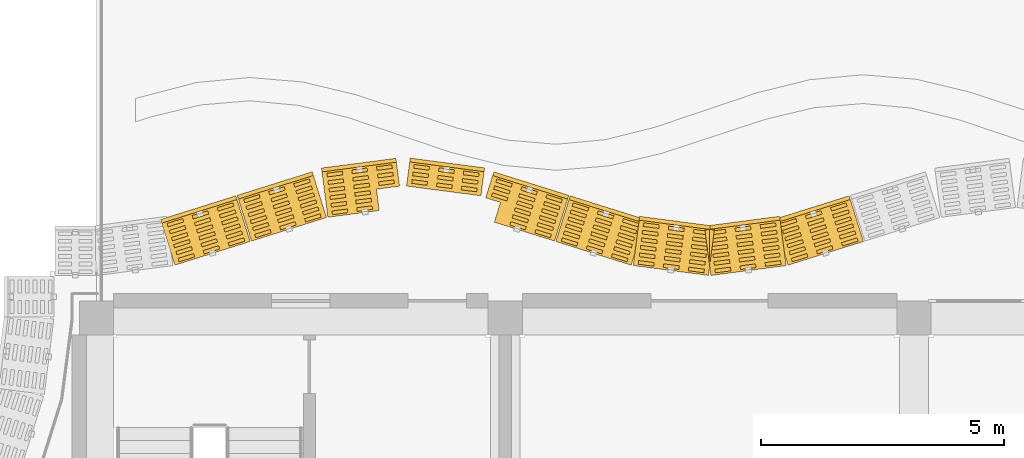
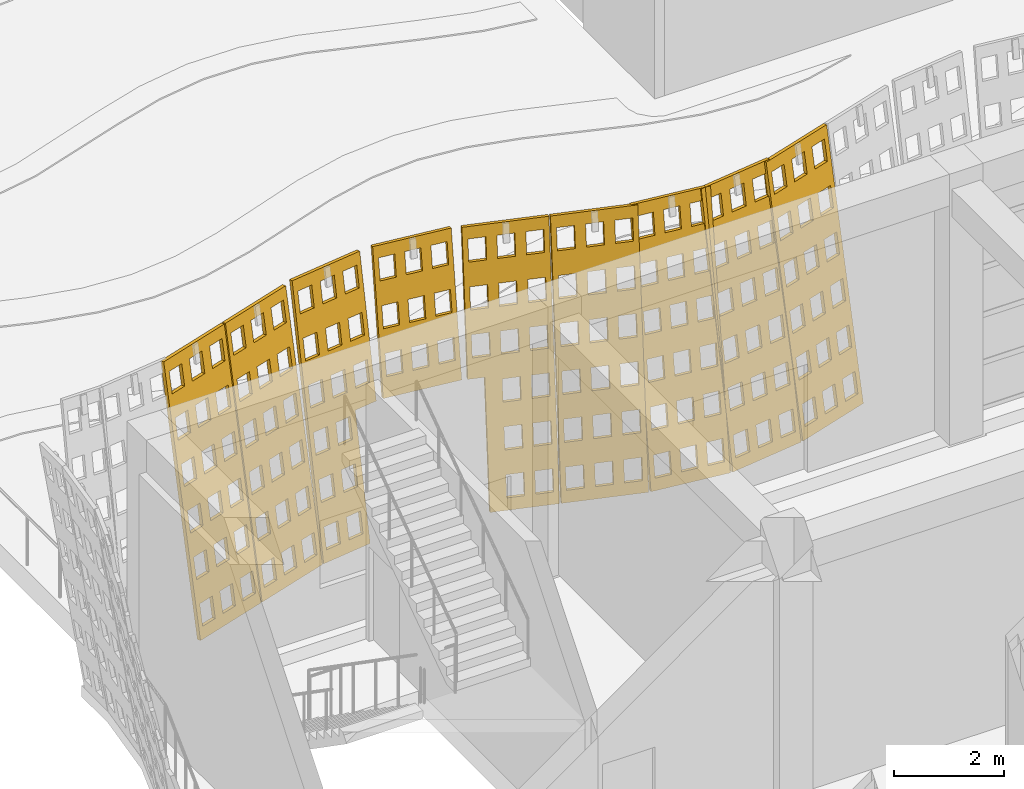
# One storey, part 159 of 210: 9 coverings.
"""IFC4 building model written with IfcOpenShell, lengths in metres."""

import ifcopenshell
import ifcopenshell.guid

model = None  # the IFC model being written
_history = None  # IfcOwnerHistory: only IFC2X3 demands one
_inside = {}  # id of a spatial element -> (the spatial element, [elements in it])
_under = {}  # id of a project, library or spatial element -> (it, [spatial elements below it])
_declared = {}  # id of a project -> (the project, [libraries it declares])
_typed = {}  # id of a type object -> (the type object, [elements of that type])
_made_of = {}  # id of a material, layer set ... -> (it, [elements and type objects made of it])


def new_model(schema):
    """Start an empty IFC model of exactly this schema.

    Asked for "IFC4X3", IfcOpenShell would pick the latest addendum, in which some entities
    have other attributes; the version numbers below select the first issue.
    IFC2X3 requires an IfcOwnerHistory on every rooted entity: one is made here for all.
    """
    global model, _history
    if schema == "IFC4X3":
        model = ifcopenshell.file(schema_version=(4, 3, 0, 0))
    else:
        model = ifcopenshell.file(schema=schema)
    _inside.clear()
    _under.clear()
    _declared.clear()
    _typed.clear()
    _made_of.clear()
    _history = None
    if model.schema == "IFC2X3":
        org = make("IfcOrganization", Name="unknown")
        user = make(
            "IfcPersonAndOrganization",
            ThePerson=make("IfcPerson", FamilyName="unknown"),
            TheOrganization=org,
        )
        app = make(
            "IfcApplication",
            ApplicationDeveloper=org,
            Version="unknown",
            ApplicationFullName="unknown",
            ApplicationIdentifier="unknown",
        )
        _history = make(
            "IfcOwnerHistory",
            OwningUser=user,
            OwningApplication=app,
            ChangeAction="ADDED",
            CreationDate=0,
        )
    return model


def make(cls, **values):
    """One entity of the class cls with the attributes given. An attribute that is None is left unset."""
    return model.create_entity(
        cls, **{name: value for name, value in values.items() if value is not None}
    )


def rooted(cls, **values):
    """An entity with a GlobalId (a new one), such as an element, a storey or a relation."""
    return make(cls, GlobalId=ifcopenshell.guid.new(), OwnerHistory=_history, **values)


def si_unit(unit_type, name, prefix=None):
    """IfcSIUnit, for example si_unit("LENGTHUNIT", "METRE", prefix="MILLI")."""
    return make("IfcSIUnit", UnitType=unit_type, Prefix=prefix, Name=name)


def assignment(units):
    """IfcUnitAssignment: the units of a project."""
    return None if units is None else make("IfcUnitAssignment", Units=units)


def point(xyz):
    """IfcCartesianPoint."""
    return None if xyz is None else make("IfcCartesianPoint", Coordinates=xyz)


def direction(xyz):
    """IfcDirection."""
    return None if xyz is None else make("IfcDirection", DirectionRatios=xyz)


def frame(location, z_axis=None, x_axis=None):
    """IfcAxis2Placement3D, a coordinate frame: its origin and axes. An axis left out is left unset."""
    return make(
        "IfcAxis2Placement3D",
        Location=point(location),
        Axis=direction(z_axis),
        RefDirection=direction(x_axis),
    )


def origin():
    """The frame at (0, 0, 0) with its axes left unset."""
    return frame((0.0, 0.0, 0.0))


def place(relative_to, where):
    """IfcLocalPlacement: puts the frame where relative to a parent placement (None: the world)."""
    return make(
        "IfcLocalPlacement", PlacementRelTo=relative_to, RelativePlacement=where
    )


def context(
    kind, dimensions, precision=None, world=None, true_north=None, identifier=None
):
    """IfcGeometricRepresentationContext, for example the 3D "Model" context."""
    return make(
        "IfcGeometricRepresentationContext",
        ContextIdentifier=identifier,
        ContextType=kind,
        CoordinateSpaceDimension=dimensions,
        Precision=precision,
        WorldCoordinateSystem=world,
        TrueNorth=true_north,
    )


def subcontext(parent, identifier, kind, view, scale=None):
    """IfcGeometricRepresentationSubContext, for example "Body" below "Model"."""
    return make(
        "IfcGeometricRepresentationSubContext",
        ContextIdentifier=identifier,
        ContextType=kind,
        ParentContext=parent,
        TargetScale=scale,
        TargetView=view,
    )


def project(units=None, contexts=None):
    """IfcProject with its units and contexts."""
    return rooted(
        "IfcProject",
        Name="project",
        RepresentationContexts=contexts,
        UnitsInContext=assignment(units),
    )


def spatial(cls, under=None, at=None, **own):
    """A site, building, storey or space (cls), placed at a placement, below another one or the project."""
    s = rooted(cls, ObjectPlacement=at, **own)
    if under is not None:
        _under.setdefault(under.id(), (under, []))[1].append(s)
    return s


def polyline(points):
    """IfcPolyline through the points."""
    return make("IfcPolyline", Points=[point(p) for p in points])


def outline(outer, holes=None, kind="AREA"):
    """IfcArbitraryClosedProfileDef: a profile drawn as a closed curve; with holes, ...WithVoids."""
    if holes is None:
        return make("IfcArbitraryClosedProfileDef", ProfileType=kind, OuterCurve=outer)
    return make(
        "IfcArbitraryProfileDefWithVoids",
        ProfileType=kind,
        OuterCurve=outer,
        InnerCurves=holes,
    )


def extrude(swept, where, along, depth):
    """IfcExtrudedAreaSolid: the profile swept, set in the frame where, extruded along a direction by depth."""
    return make(
        "IfcExtrudedAreaSolid",
        SweptArea=swept,
        Position=where,
        ExtrudedDirection=direction(along),
        Depth=depth,
    )


def shape(context_of_items, identifier, shape_type, items):
    """IfcShapeRepresentation: the items that make up one representation, for example the "Body"."""
    return make(
        "IfcShapeRepresentation",
        ContextOfItems=context_of_items,
        RepresentationIdentifier=identifier,
        RepresentationType=shape_type,
        Items=items,
    )


def material(Name=None, Category=None):
    """IfcMaterial."""
    return make("IfcMaterial", Name=Name, Category=Category)


def layer(
    of_material, thickness, ventilated=None, Name=None, Category=None, Priority=None
):
    """IfcMaterialLayer: one layer of a wall or slab, of a material (None: an air gap)."""
    return make(
        "IfcMaterialLayer",
        Material=of_material,
        LayerThickness=thickness,
        IsVentilated=ventilated,
        Name=Name,
        Category=Category,
        Priority=Priority,
    )


def layer_set(layers, Name=None):
    """IfcMaterialLayerSet."""
    return make("IfcMaterialLayerSet", MaterialLayers=layers, LayerSetName=Name)


def made_of(thing, what):
    """Note that an element or type object is made of a material, layer set ...; save() writes the relation."""
    if what is not None:
        _made_of.setdefault(what.id(), (what, []))[1].append(thing)
    return thing


def type_object(cls, material=None, **own):
    """A type object (cls), such as IfcWallType, which elements share."""
    return made_of(rooted(cls, **own), material)


def element(
    cls,
    number,
    at=None,
    inside=None,
    cuts=None,
    type_object=None,
    material=None,
    context=None,
    identifier="Body",
    shape_type=None,
    held_by="IfcProductDefinitionShape",
    body=None,
    shapes=None,
    **own,
):
    """One element of the class cls, such as IfcWall. Its Tag is "e" and its number.

    at: its placement. inside: the storey or other place that contains it. cuts: it is an
    opening in that element (IfcRelVoidsElement). A single representation is given by context,
    identifier, shape_type and body (its items); several are given by shapes. held_by: the class
    of the entity that holds the representations. save() writes the other relations.
    """
    e = rooted(cls, Tag="e%d" % number, ObjectPlacement=at, **own)
    if body is not None:
        shapes = [shape(context, identifier, shape_type, body)]
    if shapes is not None:
        e.Representation = make(held_by, Representations=shapes)
    if inside is not None:
        _inside.setdefault(inside.id(), (inside, []))[1].append(e)
    if cuts is not None:
        rooted(
            "IfcRelVoidsElement", RelatingBuildingElement=cuts, RelatedOpeningElement=e
        )
    if type_object is not None:
        _typed.setdefault(type_object.id(), (type_object, []))[1].append(e)
    return made_of(e, material)


def aggregate(whole, parts):
    """IfcRelAggregates: a whole, such as a stair, and the parts it consists of."""
    return rooted("IfcRelAggregates", RelatingObject=whole, RelatedObjects=parts)


def save(model, path):
    """Write the relations noted so far, then the file.

    IfcRelAggregates (storeys below a building ...), IfcRelContainedInSpatialStructure (elements
    in a storey), IfcRelDefinesByType, IfcRelAssociatesMaterial and IfcRelDeclares: one each for
    every whole, place, type object, material and project.
    """
    for whole, parts in _under.values():
        aggregate(whole, parts)
    for where, things in _inside.values():
        rooted(
            "IfcRelContainedInSpatialStructure",
            RelatedElements=things,
            RelatingStructure=where,
        )
    for kind, things in _typed.values():
        rooted("IfcRelDefinesByType", RelatedObjects=things, RelatingType=kind)
    for what, things in _made_of.values():
        rooted("IfcRelAssociatesMaterial", RelatedObjects=things, RelatingMaterial=what)
    for by, libraries in _declared.values():
        rooted("IfcRelDeclares", RelatingContext=by, RelatedDefinitions=libraries)
    model.write(path)


model = new_model("IFC4")

# Units and contexts
model_context = context("Model", 3, precision=1e-05, world=origin(), true_north=direction((0.0, 1.0)))
body_context = subcontext(model_context, "Body", "Model", "MODEL_VIEW")
ifc_project = project(units=[si_unit("LENGTHUNIT", "METRE"), si_unit("AREAUNIT", "SQUARE_METRE"), si_unit("VOLUMEUNIT", "CUBIC_METRE"), si_unit("PLANEANGLEUNIT", "RADIAN"), si_unit("MASSUNIT", "GRAM", prefix="KILO")], contexts=[model_context])

# Site, building, storey
site_placement = place(None, origin())
site = spatial("IfcSite", under=ifc_project, at=site_placement, CompositionType="ELEMENT")
building_placement = place(site_placement, origin())
building = spatial("IfcBuilding", under=site, at=building_placement, Name="Rain Tree Exposition and Congress Centre", CompositionType="ELEMENT")
storey_placement = place(building_placement, origin())
storey = spatial("IfcBuildingStorey", under=building, at=storey_placement, Name="L00", CompositionType="ELEMENT", Elevation=0.0)

# Coverings
ifc_material = material(Name="Perforated terracotta", Category="masonry")
ifc_layer = layer(ifc_material, 0.080078125)
ifc_layer_set = layer_set([ifc_layer], Name="Perforated terracotta")
covering_type = type_object("IfcCoveringType", Name="Terracotta screen 80", PredefinedType="CLADDING", material=ifc_layer_set)
covering_1_placement = place(storey_placement, frame((15.75, 52.050048828125, 0.0), z_axis=(0.295859611525, -0.942480618158, 0.155555053482), x_axis=(0.954094597562, 0.29950542383, 0.0)))
element("IfcCovering", 1, at=covering_1_placement, inside=storey, type_object=covering_type, Name="wing/screen/L00/091", PredefinedType="CLADDING", context=body_context, shape_type="SweptSolid", body=[
    extrude(outline(polyline([(-0.014892578125, 5.808349609375), (-0.014892578125, 0.0), (-1.635986328125, 0.0), (-1.635986328125, 5.808349609375), (-0.014892578125, 5.808349609375)]), holes=[polyline([(-0.11767578125, 0.249755859375), (-0.11767578125, 0.71826171875), (-0.45263671875, 0.71826171875), (-0.45263671875, 0.249755859375), (-0.11767578125, 0.249755859375)]), polyline([(-0.11767578125, 1.218017578125), (-0.11767578125, 1.686279296875), (-0.45263671875, 1.686279296875), (-0.45263671875, 1.218017578125), (-0.11767578125, 1.218017578125)]), polyline([(-0.11767578125, 2.18603515625), (-0.11767578125, 2.654296875), (-0.45263671875, 2.654296875), (-0.45263671875, 2.18603515625), (-0.11767578125, 2.18603515625)]), polyline([(-0.11767578125, 3.154052734375), (-0.11767578125, 3.62255859375), (-0.45263671875, 3.62255859375), (-0.45263671875, 3.154052734375), (-0.11767578125, 3.154052734375)]), polyline([(-0.11767578125, 4.1220703125), (-0.11767578125, 4.590576171875), (-0.45263671875, 4.590576171875), (-0.45263671875, 4.1220703125), (-0.11767578125, 4.1220703125)]), polyline([(-0.11767578125, 5.090087890625), (-0.11767578125, 5.55859375), (-0.45263671875, 5.55859375), (-0.45263671875, 5.090087890625), (-0.11767578125, 5.090087890625)]), polyline([(-0.657958984375, 0.249755859375), (-0.657958984375, 0.71826171875), (-0.992919921875, 0.71826171875), (-0.992919921875, 0.249755859375), (-0.657958984375, 0.249755859375)]), polyline([(-0.657958984375, 1.218017578125), (-0.657958984375, 1.686279296875), (-0.992919921875, 1.686279296875), (-0.992919921875, 1.218017578125), (-0.657958984375, 1.218017578125)]), polyline([(-0.657958984375, 2.18603515625), (-0.657958984375, 2.654296875), (-0.992919921875, 2.654296875), (-0.992919921875, 2.18603515625), (-0.657958984375, 2.18603515625)]), polyline([(-0.657958984375, 3.154052734375), (-0.657958984375, 3.62255859375), (-0.992919921875, 3.62255859375), (-0.992919921875, 3.154052734375), (-0.657958984375, 3.154052734375)]), polyline([(-0.657958984375, 4.1220703125), (-0.657958984375, 4.590576171875), (-0.992919921875, 4.590576171875), (-0.992919921875, 4.1220703125), (-0.657958984375, 4.1220703125)]), polyline([(-0.657958984375, 5.090087890625), (-0.657958984375, 5.55859375), (-0.992919921875, 5.55859375), (-0.992919921875, 5.090087890625), (-0.657958984375, 5.090087890625)]), polyline([(-1.1982421875, 0.249755859375), (-1.1982421875, 0.71826171875), (-1.533203125, 0.71826171875), (-1.533203125, 0.249755859375), (-1.1982421875, 0.249755859375)]), polyline([(-1.1982421875, 1.218017578125), (-1.1982421875, 1.686279296875), (-1.533203125, 1.686279296875), (-1.533203125, 1.218017578125), (-1.1982421875, 1.218017578125)]), polyline([(-1.1982421875, 2.18603515625), (-1.1982421875, 2.654296875), (-1.533203125, 2.654296875), (-1.533203125, 2.18603515625), (-1.1982421875, 2.18603515625)]), polyline([(-1.1982421875, 3.154052734375), (-1.1982421875, 3.62255859375), (-1.533203125, 3.62255859375), (-1.533203125, 3.154052734375), (-1.1982421875, 3.154052734375)]), polyline([(-1.1982421875, 4.1220703125), (-1.1982421875, 4.590576171875), (-1.533203125, 4.590576171875), (-1.533203125, 4.1220703125), (-1.1982421875, 4.1220703125)]), polyline([(-1.1982421875, 5.090087890625), (-1.1982421875, 5.55859375), (-1.533203125, 5.55859375), (-1.533203125, 5.090087890625), (-1.1982421875, 5.090087890625)])]), origin(), (0.0, 0.0, 1.0), 0.080078125),
])
covering_2_placement = place(storey_placement, frame((14.175048828125, 51.554931640625, 0.0), z_axis=(0.12841394929, -0.978391994594, 0.162046174105), x_axis=(0.991496427865, 0.130133906157, 0.0)))
element("IfcCovering", 2, at=covering_2_placement, inside=storey, type_object=covering_type, Name="wing/screen/L00/092", PredefinedType="CLADDING", context=body_context, shape_type="SweptSolid", body=[
    extrude(outline(polyline([(-0.014892578125, 5.813720703125), (-0.014892578125, 0.0), (-1.5732421875, 0.0), (-1.5732421875, 5.813720703125), (-0.014892578125, 5.813720703125)]), holes=[polyline([(-0.11376953125, 0.25), (-0.11376953125, 0.718994140625), (-0.435791015625, 0.718994140625), (-0.435791015625, 0.25), (-0.11376953125, 0.25)]), polyline([(-0.11376953125, 1.218994140625), (-0.11376953125, 1.687744140625), (-0.435791015625, 1.687744140625), (-0.435791015625, 1.218994140625), (-0.11376953125, 1.218994140625)]), polyline([(-0.11376953125, 2.18798828125), (-0.11376953125, 2.65673828125), (-0.435791015625, 2.65673828125), (-0.435791015625, 2.18798828125), (-0.11376953125, 2.18798828125)]), polyline([(-0.11376953125, 3.15673828125), (-0.11376953125, 3.625732421875), (-0.435791015625, 3.625732421875), (-0.435791015625, 3.15673828125), (-0.11376953125, 3.15673828125)]), polyline([(-0.11376953125, 4.125732421875), (-0.11376953125, 4.594482421875), (-0.435791015625, 4.594482421875), (-0.435791015625, 4.125732421875), (-0.11376953125, 4.125732421875)]), polyline([(-0.11376953125, 5.0947265625), (-0.11376953125, 5.5634765625), (-0.435791015625, 5.5634765625), (-0.435791015625, 5.0947265625), (-0.11376953125, 5.0947265625)]), polyline([(-0.633056640625, 0.25), (-0.633056640625, 0.718994140625), (-0.955078125, 0.718994140625), (-0.955078125, 0.25), (-0.633056640625, 0.25)]), polyline([(-0.633056640625, 1.218994140625), (-0.633056640625, 1.687744140625), (-0.955078125, 1.687744140625), (-0.955078125, 1.218994140625), (-0.633056640625, 1.218994140625)]), polyline([(-0.633056640625, 2.18798828125), (-0.633056640625, 2.65673828125), (-0.955078125, 2.65673828125), (-0.955078125, 2.18798828125), (-0.633056640625, 2.18798828125)]), polyline([(-0.633056640625, 3.15673828125), (-0.633056640625, 3.625732421875), (-0.955078125, 3.625732421875), (-0.955078125, 3.15673828125), (-0.633056640625, 3.15673828125)]), polyline([(-0.633056640625, 4.125732421875), (-0.633056640625, 4.594482421875), (-0.955078125, 4.594482421875), (-0.955078125, 4.125732421875), (-0.633056640625, 4.125732421875)]), polyline([(-0.633056640625, 5.0947265625), (-0.633056640625, 5.5634765625), (-0.955078125, 5.5634765625), (-0.955078125, 5.0947265625), (-0.633056640625, 5.0947265625)]), polyline([(-1.152587890625, 0.25), (-1.152587890625, 0.718994140625), (-1.474609375, 0.718994140625), (-1.474609375, 0.25), (-1.152587890625, 0.25)]), polyline([(-1.152587890625, 1.218994140625), (-1.152587890625, 1.687744140625), (-1.474609375, 1.687744140625), (-1.474609375, 1.218994140625), (-1.152587890625, 1.218994140625)]), polyline([(-1.152587890625, 2.18798828125), (-1.152587890625, 2.65673828125), (-1.474609375, 2.65673828125), (-1.474609375, 2.18798828125), (-1.152587890625, 2.18798828125)]), polyline([(-1.152587890625, 3.15673828125), (-1.152587890625, 3.625732421875), (-1.474609375, 3.625732421875), (-1.474609375, 3.15673828125), (-1.152587890625, 3.15673828125)]), polyline([(-1.152587890625, 4.125732421875), (-1.152587890625, 4.594482421875), (-1.474609375, 4.594482421875), (-1.474609375, 4.125732421875), (-1.152587890625, 4.125732421875)]), polyline([(-1.152587890625, 5.0947265625), (-1.152587890625, 5.5634765625), (-1.474609375, 5.5634765625), (-1.474609375, 5.0947265625), (-1.152587890625, 5.0947265625)])]), origin(), (0.0, 0.0, 1.0), 0.079833984375),
])
covering_3_placement = place(storey_placement, frame((12.60009765625, 51.35009765625, 0.0), z_axis=(-0.1280309309, -0.978522114732, 0.161562841373), x_axis=(0.991548658387, -0.129735338481, 0.0)))
element("IfcCovering", 3, at=covering_3_placement, inside=storey, type_object=covering_type, Name="wing/screen/L00/093", PredefinedType="CLADDING", context=body_context, shape_type="SweptSolid", body=[
    extrude(outline(polyline([(-0.014892578125, 5.813720703125), (-0.014892578125, 0.0), (-1.5732421875, 0.0), (-1.5732421875, 5.813720703125), (-0.014892578125, 5.813720703125)]), holes=[polyline([(-0.11376953125, 0.25), (-0.11376953125, 0.718994140625), (-0.435791015625, 0.718994140625), (-0.435791015625, 0.25), (-0.11376953125, 0.25)]), polyline([(-0.11376953125, 1.218994140625), (-0.11376953125, 1.687744140625), (-0.435791015625, 1.687744140625), (-0.435791015625, 1.218994140625), (-0.11376953125, 1.218994140625)]), polyline([(-0.11376953125, 2.18798828125), (-0.11376953125, 2.65673828125), (-0.435791015625, 2.65673828125), (-0.435791015625, 2.18798828125), (-0.11376953125, 2.18798828125)]), polyline([(-0.11376953125, 3.15673828125), (-0.11376953125, 3.625732421875), (-0.435791015625, 3.625732421875), (-0.435791015625, 3.15673828125), (-0.11376953125, 3.15673828125)]), polyline([(-0.11376953125, 4.125732421875), (-0.11376953125, 4.594482421875), (-0.435791015625, 4.594482421875), (-0.435791015625, 4.125732421875), (-0.11376953125, 4.125732421875)]), polyline([(-0.11376953125, 5.0947265625), (-0.11376953125, 5.5634765625), (-0.435791015625, 5.5634765625), (-0.435791015625, 5.0947265625), (-0.11376953125, 5.0947265625)]), polyline([(-0.633056640625, 0.25), (-0.633056640625, 0.718994140625), (-0.955078125, 0.718994140625), (-0.955078125, 0.25), (-0.633056640625, 0.25)]), polyline([(-0.633056640625, 1.218994140625), (-0.633056640625, 1.687744140625), (-0.955078125, 1.687744140625), (-0.955078125, 1.218994140625), (-0.633056640625, 1.218994140625)]), polyline([(-0.633056640625, 2.18798828125), (-0.633056640625, 2.65673828125), (-0.955078125, 2.65673828125), (-0.955078125, 2.18798828125), (-0.633056640625, 2.18798828125)]), polyline([(-0.633056640625, 3.15673828125), (-0.633056640625, 3.625732421875), (-0.955078125, 3.625732421875), (-0.955078125, 3.15673828125), (-0.633056640625, 3.15673828125)]), polyline([(-0.633056640625, 4.125732421875), (-0.633056640625, 4.594482421875), (-0.955078125, 4.594482421875), (-0.955078125, 4.125732421875), (-0.633056640625, 4.125732421875)]), polyline([(-0.633056640625, 5.0947265625), (-0.633056640625, 5.5634765625), (-0.955078125, 5.5634765625), (-0.955078125, 5.0947265625), (-0.633056640625, 5.0947265625)]), polyline([(-1.152587890625, 0.25), (-1.152587890625, 0.718994140625), (-1.474609375, 0.718994140625), (-1.474609375, 0.25), (-1.152587890625, 0.25)]), polyline([(-1.152587890625, 1.218994140625), (-1.152587890625, 1.687744140625), (-1.474609375, 1.687744140625), (-1.474609375, 1.218994140625), (-1.152587890625, 1.218994140625)]), polyline([(-1.152587890625, 2.18798828125), (-1.152587890625, 2.65673828125), (-1.474609375, 2.65673828125), (-1.474609375, 2.18798828125), (-1.152587890625, 2.18798828125)]), polyline([(-1.152587890625, 3.15673828125), (-1.152587890625, 3.625732421875), (-1.474609375, 3.625732421875), (-1.474609375, 3.15673828125), (-1.152587890625, 3.15673828125)]), polyline([(-1.152587890625, 4.125732421875), (-1.152587890625, 4.594482421875), (-1.474609375, 4.594482421875), (-1.474609375, 4.125732421875), (-1.152587890625, 4.125732421875)]), polyline([(-1.152587890625, 5.0947265625), (-1.152587890625, 5.5634765625), (-1.474609375, 5.5634765625), (-1.474609375, 5.0947265625), (-1.152587890625, 5.0947265625)])]), origin(), (0.0, 0.0, 1.0), 0.080078125),
])
covering_4_placement = place(storey_placement, frame((11.02490234375, 51.554931640625, 0.0), z_axis=(-0.295859611525, -0.942480618158, 0.155555053482), x_axis=(0.954094597562, -0.29950542383, 0.0)))
element("IfcCovering", 4, at=covering_4_placement, inside=storey, type_object=covering_type, Name="wing/screen/L00/094", PredefinedType="CLADDING", context=body_context, shape_type="SweptSolid", body=[
    extrude(outline(polyline([(-0.014892578125, 5.808349609375), (-0.014892578125, 0.0), (-1.635986328125, 0.0), (-1.635986328125, 5.808349609375), (-0.014892578125, 5.808349609375)]), holes=[polyline([(-0.11767578125, 0.249755859375), (-0.11767578125, 0.71826171875), (-0.45263671875, 0.71826171875), (-0.45263671875, 0.249755859375), (-0.11767578125, 0.249755859375)]), polyline([(-0.11767578125, 1.218017578125), (-0.11767578125, 1.686279296875), (-0.45263671875, 1.686279296875), (-0.45263671875, 1.218017578125), (-0.11767578125, 1.218017578125)]), polyline([(-0.11767578125, 2.18603515625), (-0.11767578125, 2.654296875), (-0.45263671875, 2.654296875), (-0.45263671875, 2.18603515625), (-0.11767578125, 2.18603515625)]), polyline([(-0.11767578125, 3.154052734375), (-0.11767578125, 3.62255859375), (-0.45263671875, 3.62255859375), (-0.45263671875, 3.154052734375), (-0.11767578125, 3.154052734375)]), polyline([(-0.11767578125, 4.1220703125), (-0.11767578125, 4.590576171875), (-0.45263671875, 4.590576171875), (-0.45263671875, 4.1220703125), (-0.11767578125, 4.1220703125)]), polyline([(-0.11767578125, 5.090087890625), (-0.11767578125, 5.55859375), (-0.45263671875, 5.55859375), (-0.45263671875, 5.090087890625), (-0.11767578125, 5.090087890625)]), polyline([(-0.657958984375, 0.249755859375), (-0.657958984375, 0.71826171875), (-0.992919921875, 0.71826171875), (-0.992919921875, 0.249755859375), (-0.657958984375, 0.249755859375)]), polyline([(-0.657958984375, 1.218017578125), (-0.657958984375, 1.686279296875), (-0.992919921875, 1.686279296875), (-0.992919921875, 1.218017578125), (-0.657958984375, 1.218017578125)]), polyline([(-0.657958984375, 2.18603515625), (-0.657958984375, 2.654296875), (-0.992919921875, 2.654296875), (-0.992919921875, 2.18603515625), (-0.657958984375, 2.18603515625)]), polyline([(-0.657958984375, 3.154052734375), (-0.657958984375, 3.62255859375), (-0.992919921875, 3.62255859375), (-0.992919921875, 3.154052734375), (-0.657958984375, 3.154052734375)]), polyline([(-0.657958984375, 4.1220703125), (-0.657958984375, 4.590576171875), (-0.992919921875, 4.590576171875), (-0.992919921875, 4.1220703125), (-0.657958984375, 4.1220703125)]), polyline([(-0.657958984375, 5.090087890625), (-0.657958984375, 5.55859375), (-0.992919921875, 5.55859375), (-0.992919921875, 5.090087890625), (-0.657958984375, 5.090087890625)]), polyline([(-1.1982421875, 0.249755859375), (-1.1982421875, 0.71826171875), (-1.533203125, 0.71826171875), (-1.533203125, 0.249755859375), (-1.1982421875, 0.249755859375)]), polyline([(-1.1982421875, 1.218017578125), (-1.1982421875, 1.686279296875), (-1.533203125, 1.686279296875), (-1.533203125, 1.218017578125), (-1.1982421875, 1.218017578125)]), polyline([(-1.1982421875, 2.18603515625), (-1.1982421875, 2.654296875), (-1.533203125, 2.654296875), (-1.533203125, 2.18603515625), (-1.1982421875, 2.18603515625)]), polyline([(-1.1982421875, 3.154052734375), (-1.1982421875, 3.62255859375), (-1.533203125, 3.62255859375), (-1.533203125, 3.154052734375), (-1.1982421875, 3.154052734375)]), polyline([(-1.1982421875, 4.1220703125), (-1.1982421875, 4.590576171875), (-1.533203125, 4.590576171875), (-1.533203125, 4.1220703125), (-1.1982421875, 4.1220703125)]), polyline([(-1.1982421875, 5.090087890625), (-1.1982421875, 5.55859375), (-1.533203125, 5.55859375), (-1.533203125, 5.090087890625), (-1.1982421875, 5.090087890625)])]), origin(), (0.0, 0.0, 1.0), 0.080078125),
])
covering_5_placement = place(storey_placement, frame((9.449951171875, 52.050048828125, 0.0), z_axis=(-0.295859611525, -0.942480618158, 0.155555053482), x_axis=(0.954094597562, -0.29950542383, 0.0)))
element("IfcCovering", 5, at=covering_5_placement, inside=storey, type_object=covering_type, Name="wing/screen/L00/095", PredefinedType="CLADDING", context=body_context, shape_type="SweptSolid", body=[
    extrude(outline(polyline([(-0.014892578125, 5.808349609375), (-0.014892578125, 0.0), (-1.310302734375, 0.0), (-1.310302734375, 2.7333984375), (-1.62890625, 2.7333984375), (-1.62890625, 5.808349609375), (-0.014892578125, 5.808349609375)]), holes=[polyline([(-0.1171875, 0.249755859375), (-0.1171875, 0.71826171875), (-0.45068359375, 0.71826171875), (-0.45068359375, 0.249755859375), (-0.1171875, 0.249755859375)]), polyline([(-0.1171875, 1.218017578125), (-0.1171875, 1.686279296875), (-0.45068359375, 1.686279296875), (-0.45068359375, 1.218017578125), (-0.1171875, 1.218017578125)]), polyline([(-0.1171875, 2.18603515625), (-0.1171875, 2.654296875), (-0.45068359375, 2.654296875), (-0.45068359375, 2.18603515625), (-0.1171875, 2.18603515625)]), polyline([(-0.1171875, 3.154052734375), (-0.1171875, 3.62255859375), (-0.45068359375, 3.62255859375), (-0.45068359375, 3.154052734375), (-0.1171875, 3.154052734375)]), polyline([(-0.1171875, 4.1220703125), (-0.1171875, 4.590576171875), (-0.45068359375, 4.590576171875), (-0.45068359375, 4.1220703125), (-0.1171875, 4.1220703125)]), polyline([(-0.1171875, 5.090087890625), (-0.1171875, 5.55859375), (-0.45068359375, 5.55859375), (-0.45068359375, 5.090087890625), (-0.1171875, 5.090087890625)]), polyline([(-0.6552734375, 0.249755859375), (-0.6552734375, 0.71826171875), (-0.98876953125, 0.71826171875), (-0.98876953125, 0.249755859375), (-0.6552734375, 0.249755859375)]), polyline([(-0.6552734375, 1.218017578125), (-0.6552734375, 1.686279296875), (-0.98876953125, 1.686279296875), (-0.98876953125, 1.218017578125), (-0.6552734375, 1.218017578125)]), polyline([(-0.6552734375, 2.18603515625), (-0.6552734375, 2.654296875), (-0.98876953125, 2.654296875), (-0.98876953125, 2.18603515625), (-0.6552734375, 2.18603515625)]), polyline([(-0.6552734375, 3.154052734375), (-0.6552734375, 3.62255859375), (-0.98876953125, 3.62255859375), (-0.98876953125, 3.154052734375), (-0.6552734375, 3.154052734375)]), polyline([(-0.6552734375, 4.1220703125), (-0.6552734375, 4.590576171875), (-0.98876953125, 4.590576171875), (-0.98876953125, 4.1220703125), (-0.6552734375, 4.1220703125)]), polyline([(-0.6552734375, 5.090087890625), (-0.6552734375, 5.55859375), (-0.98876953125, 5.55859375), (-0.98876953125, 5.090087890625), (-0.6552734375, 5.090087890625)]), polyline([(-1.193115234375, 3.154052734375), (-1.193115234375, 3.62255859375), (-1.526611328125, 3.62255859375), (-1.526611328125, 3.154052734375), (-1.193115234375, 3.154052734375)]), polyline([(-1.193115234375, 4.1220703125), (-1.193115234375, 4.590576171875), (-1.526611328125, 4.590576171875), (-1.526611328125, 4.1220703125), (-1.193115234375, 4.1220703125)]), polyline([(-1.193115234375, 5.090087890625), (-1.193115234375, 5.55859375), (-1.526611328125, 5.55859375), (-1.526611328125, 5.090087890625), (-1.193115234375, 5.090087890625)])]), origin(), (0.0, 0.0, 1.0), 0.080078125),
])
covering_6_placement = place(storey_placement, frame((7.875, 52.544921875, 0.0), z_axis=(-0.12841394929, -0.978391994594, 0.162046174105), x_axis=(0.991496427865, -0.130133906157, 0.0)))
element("IfcCovering", 6, at=covering_6_placement, inside=storey, type_object=covering_type, Name="wing/screen/L00/096", PredefinedType="CLADDING", context=body_context, shape_type="SweptSolid", body=[
    extrude(outline(polyline([(-1.56298828125, 5.813720703125), (-0.02197265625, 5.813720703125), (-0.02197265625, 2.736083984375), (-1.56298828125, 2.736083984375), (-1.56298828125, 5.813720703125)]), holes=[polyline([(-0.11962890625, 3.15673828125), (-0.11962890625, 3.625732421875), (-0.43798828125, 3.625732421875), (-0.43798828125, 3.15673828125), (-0.11962890625, 3.15673828125)]), polyline([(-0.11962890625, 4.125732421875), (-0.11962890625, 4.594482421875), (-0.43798828125, 4.594482421875), (-0.43798828125, 4.125732421875), (-0.11962890625, 4.125732421875)]), polyline([(-0.11962890625, 5.0947265625), (-0.11962890625, 5.5634765625), (-0.43798828125, 5.5634765625), (-0.43798828125, 5.0947265625), (-0.11962890625, 5.0947265625)]), polyline([(-0.63330078125, 3.15673828125), (-0.63330078125, 3.625732421875), (-0.95166015625, 3.625732421875), (-0.95166015625, 3.15673828125), (-0.63330078125, 3.15673828125)]), polyline([(-0.63330078125, 4.125732421875), (-0.63330078125, 4.594482421875), (-0.95166015625, 4.594482421875), (-0.95166015625, 4.125732421875), (-0.63330078125, 4.125732421875)]), polyline([(-0.63330078125, 5.0947265625), (-0.63330078125, 5.5634765625), (-0.95166015625, 5.5634765625), (-0.95166015625, 5.0947265625), (-0.63330078125, 5.0947265625)]), polyline([(-1.146728515625, 3.15673828125), (-1.146728515625, 3.625732421875), (-1.46533203125, 3.625732421875), (-1.46533203125, 3.15673828125), (-1.146728515625, 3.15673828125)]), polyline([(-1.146728515625, 4.125732421875), (-1.146728515625, 4.594482421875), (-1.46533203125, 4.594482421875), (-1.46533203125, 4.125732421875), (-1.146728515625, 4.125732421875)]), polyline([(-1.146728515625, 5.0947265625), (-1.146728515625, 5.5634765625), (-1.46533203125, 5.5634765625), (-1.46533203125, 5.0947265625), (-1.146728515625, 5.0947265625)])]), origin(), (0.0, 0.0, 1.0), 0.079833984375),
])
covering_7_placement = place(storey_placement, frame((6.300048828125, 52.75, 0.0), z_axis=(0.1280309309, -0.978522114732, 0.161562841373), x_axis=(0.991548658387, 0.129735338481, 0.0)))
element("IfcCovering", 7, at=covering_7_placement, inside=storey, type_object=covering_type, Name="wing/screen/L00/097", PredefinedType="CLADDING", context=body_context, shape_type="SweptSolid", body=[
    extrude(outline(polyline([(-1.56640625, 5.813720703125), (-0.025390625, 5.813720703125), (-0.025390625, 2.736083984375), (-0.504150390625, 2.736083984375), (-0.504150390625, 0.0), (-1.56640625, 0.0), (-1.56640625, 5.813720703125)]), holes=[polyline([(-0.123046875, 3.15673828125), (-0.123046875, 3.625732421875), (-0.44140625, 3.625732421875), (-0.44140625, 3.15673828125), (-0.123046875, 3.15673828125)]), polyline([(-0.123046875, 4.125732421875), (-0.123046875, 4.594482421875), (-0.44140625, 4.594482421875), (-0.44140625, 4.125732421875), (-0.123046875, 4.125732421875)]), polyline([(-0.123046875, 5.0947265625), (-0.123046875, 5.5634765625), (-0.44140625, 5.5634765625), (-0.44140625, 5.0947265625), (-0.123046875, 5.0947265625)]), polyline([(-0.63671875, 0.25), (-0.63671875, 0.718994140625), (-0.955078125, 0.718994140625), (-0.955078125, 0.25), (-0.63671875, 0.25)]), polyline([(-0.63671875, 1.218994140625), (-0.63671875, 1.687744140625), (-0.955078125, 1.687744140625), (-0.955078125, 1.218994140625), (-0.63671875, 1.218994140625)]), polyline([(-0.63671875, 2.18798828125), (-0.63671875, 2.65673828125), (-0.955078125, 2.65673828125), (-0.955078125, 2.18798828125), (-0.63671875, 2.18798828125)]), polyline([(-0.63671875, 3.15673828125), (-0.63671875, 3.625732421875), (-0.955078125, 3.625732421875), (-0.955078125, 3.15673828125), (-0.63671875, 3.15673828125)]), polyline([(-0.63671875, 4.125732421875), (-0.63671875, 4.594482421875), (-0.955078125, 4.594482421875), (-0.955078125, 4.125732421875), (-0.63671875, 4.125732421875)]), polyline([(-0.63671875, 5.0947265625), (-0.63671875, 5.5634765625), (-0.955078125, 5.5634765625), (-0.955078125, 5.0947265625), (-0.63671875, 5.0947265625)]), polyline([(-1.150146484375, 0.25), (-1.150146484375, 0.718994140625), (-1.46875, 0.718994140625), (-1.46875, 0.25), (-1.150146484375, 0.25)]), polyline([(-1.150146484375, 1.218994140625), (-1.150146484375, 1.687744140625), (-1.46875, 1.687744140625), (-1.46875, 1.218994140625), (-1.150146484375, 1.218994140625)]), polyline([(-1.150146484375, 2.18798828125), (-1.150146484375, 2.65673828125), (-1.46875, 2.65673828125), (-1.46875, 2.18798828125), (-1.150146484375, 2.18798828125)]), polyline([(-1.150146484375, 3.15673828125), (-1.150146484375, 3.625732421875), (-1.46875, 3.625732421875), (-1.46875, 3.15673828125), (-1.150146484375, 3.15673828125)]), polyline([(-1.150146484375, 4.125732421875), (-1.150146484375, 4.594482421875), (-1.46875, 4.594482421875), (-1.46875, 4.125732421875), (-1.150146484375, 4.125732421875)]), polyline([(-1.150146484375, 5.0947265625), (-1.150146484375, 5.5634765625), (-1.46875, 5.5634765625), (-1.46875, 5.0947265625), (-1.150146484375, 5.0947265625)])]), origin(), (0.0, 0.0, 1.0), 0.080078125),
])
covering_8_placement = place(storey_placement, frame((4.72509765625, 52.544921875, 0.0), z_axis=(0.295859611525, -0.942480618158, 0.155555053482), x_axis=(0.954094597562, 0.29950542383, 0.0)))
element("IfcCovering", 8, at=covering_8_placement, inside=storey, type_object=covering_type, Name="wing/screen/L00/098", PredefinedType="CLADDING", context=body_context, shape_type="SweptSolid", body=[
    extrude(outline(polyline([(-0.02197265625, 5.808349609375), (-0.02197265625, 0.0), (-1.635986328125, 0.0), (-1.635986328125, 5.808349609375), (-0.02197265625, 5.808349609375)]), holes=[polyline([(-0.124267578125, 0.249755859375), (-0.124267578125, 0.71826171875), (-0.457763671875, 0.71826171875), (-0.457763671875, 0.249755859375), (-0.124267578125, 0.249755859375)]), polyline([(-0.124267578125, 1.218017578125), (-0.124267578125, 1.686279296875), (-0.457763671875, 1.686279296875), (-0.457763671875, 1.218017578125), (-0.124267578125, 1.218017578125)]), polyline([(-0.124267578125, 2.18603515625), (-0.124267578125, 2.654296875), (-0.457763671875, 2.654296875), (-0.457763671875, 2.18603515625), (-0.124267578125, 2.18603515625)]), polyline([(-0.124267578125, 3.154052734375), (-0.124267578125, 3.62255859375), (-0.457763671875, 3.62255859375), (-0.457763671875, 3.154052734375), (-0.124267578125, 3.154052734375)]), polyline([(-0.124267578125, 4.1220703125), (-0.124267578125, 4.590576171875), (-0.457763671875, 4.590576171875), (-0.457763671875, 4.1220703125), (-0.124267578125, 4.1220703125)]), polyline([(-0.124267578125, 5.090087890625), (-0.124267578125, 5.55859375), (-0.457763671875, 5.55859375), (-0.457763671875, 5.090087890625), (-0.124267578125, 5.090087890625)]), polyline([(-0.662109375, 0.249755859375), (-0.662109375, 0.71826171875), (-0.995849609375, 0.71826171875), (-0.995849609375, 0.249755859375), (-0.662109375, 0.249755859375)]), polyline([(-0.662109375, 1.218017578125), (-0.662109375, 1.686279296875), (-0.995849609375, 1.686279296875), (-0.995849609375, 1.218017578125), (-0.662109375, 1.218017578125)]), polyline([(-0.662109375, 2.18603515625), (-0.662109375, 2.654296875), (-0.995849609375, 2.654296875), (-0.995849609375, 2.18603515625), (-0.662109375, 2.18603515625)]), polyline([(-0.662109375, 3.154052734375), (-0.662109375, 3.62255859375), (-0.995849609375, 3.62255859375), (-0.995849609375, 3.154052734375), (-0.662109375, 3.154052734375)]), polyline([(-0.662109375, 4.1220703125), (-0.662109375, 4.590576171875), (-0.995849609375, 4.590576171875), (-0.995849609375, 4.1220703125), (-0.662109375, 4.1220703125)]), polyline([(-0.662109375, 5.090087890625), (-0.662109375, 5.55859375), (-0.995849609375, 5.55859375), (-0.995849609375, 5.090087890625), (-0.662109375, 5.090087890625)]), polyline([(-1.2001953125, 0.249755859375), (-1.2001953125, 0.71826171875), (-1.53369140625, 0.71826171875), (-1.53369140625, 0.249755859375), (-1.2001953125, 0.249755859375)]), polyline([(-1.2001953125, 1.218017578125), (-1.2001953125, 1.686279296875), (-1.53369140625, 1.686279296875), (-1.53369140625, 1.218017578125), (-1.2001953125, 1.218017578125)]), polyline([(-1.2001953125, 2.18603515625), (-1.2001953125, 2.654296875), (-1.53369140625, 2.654296875), (-1.53369140625, 2.18603515625), (-1.2001953125, 2.18603515625)]), polyline([(-1.2001953125, 3.154052734375), (-1.2001953125, 3.62255859375), (-1.53369140625, 3.62255859375), (-1.53369140625, 3.154052734375), (-1.2001953125, 3.154052734375)]), polyline([(-1.2001953125, 4.1220703125), (-1.2001953125, 4.590576171875), (-1.53369140625, 4.590576171875), (-1.53369140625, 4.1220703125), (-1.2001953125, 4.1220703125)]), polyline([(-1.2001953125, 5.090087890625), (-1.2001953125, 5.55859375), (-1.53369140625, 5.55859375), (-1.53369140625, 5.090087890625), (-1.2001953125, 5.090087890625)])]), origin(), (0.0, 0.0, 1.0), 0.080078125),
])
covering_9_placement = place(storey_placement, frame((3.14990234375, 52.050048828125, 0.0), z_axis=(0.295859611525, -0.942480618158, 0.155555053482), x_axis=(0.954094597562, 0.29950542383, 0.0)))
element("IfcCovering", 9, at=covering_9_placement, inside=storey, type_object=covering_type, Name="wing/screen/L00/099", PredefinedType="CLADDING", context=body_context, shape_type="SweptSolid", body=[
    extrude(outline(polyline([(-0.014892578125, 5.808349609375), (-0.014892578125, 0.0), (-1.635986328125, 0.0), (-1.635986328125, 5.808349609375), (-0.014892578125, 5.808349609375)]), holes=[polyline([(-0.11767578125, 0.249755859375), (-0.11767578125, 0.71826171875), (-0.45263671875, 0.71826171875), (-0.45263671875, 0.249755859375), (-0.11767578125, 0.249755859375)]), polyline([(-0.11767578125, 1.218017578125), (-0.11767578125, 1.686279296875), (-0.45263671875, 1.686279296875), (-0.45263671875, 1.218017578125), (-0.11767578125, 1.218017578125)]), polyline([(-0.11767578125, 2.18603515625), (-0.11767578125, 2.654296875), (-0.45263671875, 2.654296875), (-0.45263671875, 2.18603515625), (-0.11767578125, 2.18603515625)]), polyline([(-0.11767578125, 3.154052734375), (-0.11767578125, 3.62255859375), (-0.45263671875, 3.62255859375), (-0.45263671875, 3.154052734375), (-0.11767578125, 3.154052734375)]), polyline([(-0.11767578125, 4.1220703125), (-0.11767578125, 4.590576171875), (-0.45263671875, 4.590576171875), (-0.45263671875, 4.1220703125), (-0.11767578125, 4.1220703125)]), polyline([(-0.11767578125, 5.090087890625), (-0.11767578125, 5.55859375), (-0.45263671875, 5.55859375), (-0.45263671875, 5.090087890625), (-0.11767578125, 5.090087890625)]), polyline([(-0.657958984375, 0.249755859375), (-0.657958984375, 0.71826171875), (-0.992919921875, 0.71826171875), (-0.992919921875, 0.249755859375), (-0.657958984375, 0.249755859375)]), polyline([(-0.657958984375, 1.218017578125), (-0.657958984375, 1.686279296875), (-0.992919921875, 1.686279296875), (-0.992919921875, 1.218017578125), (-0.657958984375, 1.218017578125)]), polyline([(-0.657958984375, 2.18603515625), (-0.657958984375, 2.654296875), (-0.992919921875, 2.654296875), (-0.992919921875, 2.18603515625), (-0.657958984375, 2.18603515625)]), polyline([(-0.657958984375, 3.154052734375), (-0.657958984375, 3.62255859375), (-0.992919921875, 3.62255859375), (-0.992919921875, 3.154052734375), (-0.657958984375, 3.154052734375)]), polyline([(-0.657958984375, 4.1220703125), (-0.657958984375, 4.590576171875), (-0.992919921875, 4.590576171875), (-0.992919921875, 4.1220703125), (-0.657958984375, 4.1220703125)]), polyline([(-0.657958984375, 5.090087890625), (-0.657958984375, 5.55859375), (-0.992919921875, 5.55859375), (-0.992919921875, 5.090087890625), (-0.657958984375, 5.090087890625)]), polyline([(-1.1982421875, 0.249755859375), (-1.1982421875, 0.71826171875), (-1.533203125, 0.71826171875), (-1.533203125, 0.249755859375), (-1.1982421875, 0.249755859375)]), polyline([(-1.1982421875, 1.218017578125), (-1.1982421875, 1.686279296875), (-1.533203125, 1.686279296875), (-1.533203125, 1.218017578125), (-1.1982421875, 1.218017578125)]), polyline([(-1.1982421875, 2.18603515625), (-1.1982421875, 2.654296875), (-1.533203125, 2.654296875), (-1.533203125, 2.18603515625), (-1.1982421875, 2.18603515625)]), polyline([(-1.1982421875, 3.154052734375), (-1.1982421875, 3.62255859375), (-1.533203125, 3.62255859375), (-1.533203125, 3.154052734375), (-1.1982421875, 3.154052734375)]), polyline([(-1.1982421875, 4.1220703125), (-1.1982421875, 4.590576171875), (-1.533203125, 4.590576171875), (-1.533203125, 4.1220703125), (-1.1982421875, 4.1220703125)]), polyline([(-1.1982421875, 5.090087890625), (-1.1982421875, 5.55859375), (-1.533203125, 5.55859375), (-1.533203125, 5.090087890625), (-1.1982421875, 5.090087890625)])]), origin(), (0.0, 0.0, 1.0), 0.080078125),
])

save(model, "model.ifc")
